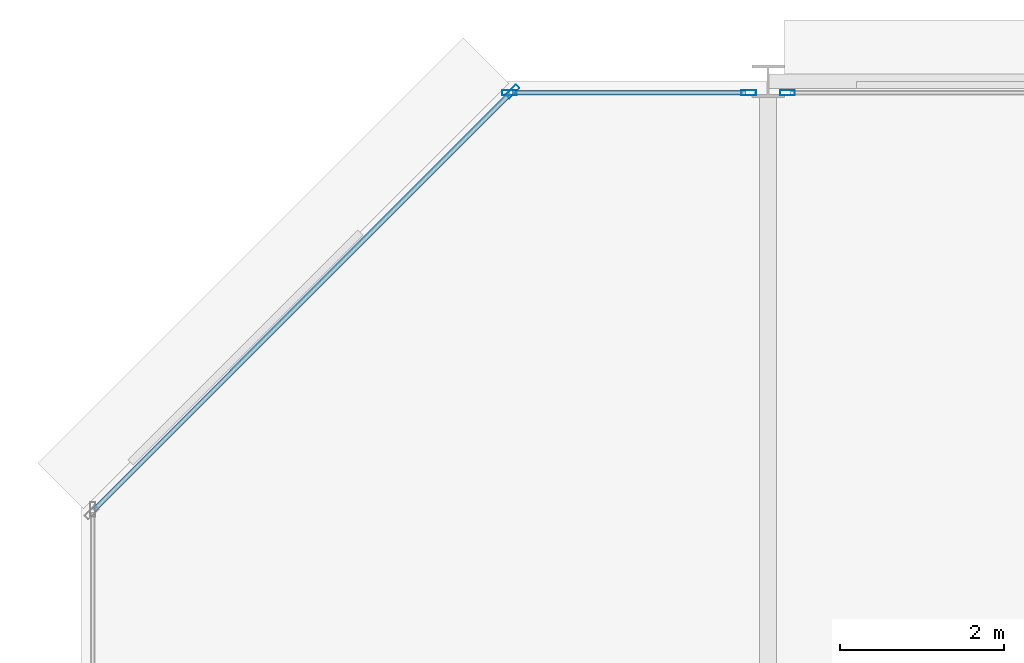
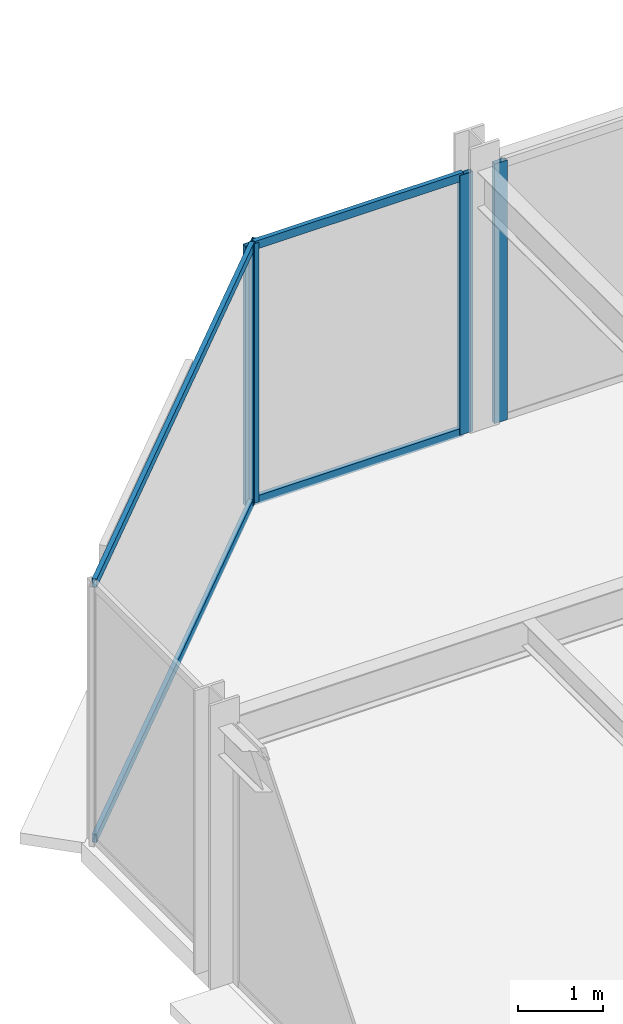
# One storey, part 29 of 40: 8 members, 3 elements without a shape of their own.
"""IFC4 building model written with IfcOpenShell, lengths in metres."""

from ifc_helpers import new_model, si_unit, direction, frame, origin, origin_2d, place, context, subcontext, project, spatial, hollow_rectangle, extrude, material, layer, layer_set, material_profile, profile_set, type_object, element, aggregate, save


model = new_model("IFC4")

# Units and contexts
model_context = context("Model", 3, precision=1e-05, world=origin(), true_north=direction((0.0, 1.0)))
body_context = subcontext(model_context, "Body", "Model", "MODEL_VIEW")
ifc_project = project(units=[si_unit("LENGTHUNIT", "METRE"), si_unit("AREAUNIT", "SQUARE_METRE"), si_unit("VOLUMEUNIT", "CUBIC_METRE"), si_unit("PLANEANGLEUNIT", "RADIAN"), si_unit("MASSUNIT", "GRAM", prefix="KILO")], contexts=[model_context])

# Site, building, storey
site_placement = place(None, origin())
site = spatial("IfcSite", under=ifc_project, at=site_placement, CompositionType="ELEMENT")
building_placement = place(site_placement, origin())
building = spatial("IfcBuilding", under=site, at=building_placement, Name="Nerrivon Quay Data Exchange", CompositionType="ELEMENT")
storey_placement = place(building_placement, frame((0.0, 0.0, 109.0)))
storey = spatial("IfcBuildingStorey", under=building, at=storey_placement, Name="L25", CompositionType="ELEMENT", Elevation=109.0)

# Curtain wall, member
ifc_material = material(Name="Anodised aluminium 6063-T6", Category="aluminium")
ifc_layer = layer(ifc_material, 0.2099609375)
ifc_layer_set = layer_set([ifc_layer], Name="Anodised aluminium 6063-T6")
curtain_wall_type = type_object("IfcCurtainWallType", Name="CW-SYS-02", PredefinedType="NOTDEFINED", material=ifc_layer_set)
curtain_wall_1_placement = place(storey_placement, origin())
curtain_wall_1 = element("IfcCurtainWall", 1, at=curtain_wall_1_placement, inside=storey, type_object=curtain_wall_type, Name="L25 Unitised Curtain Wall 23", PredefinedType="NOTDEFINED")
ifc_material_profile_1 = material_profile(ifc_material, hollow_rectangle(XDim=0.06494140625, YDim=0.179931640625, WallThickness=0.00341796875, at=origin_2d()), Name="ALU-MULL-180x65")
ifc_profile_set_1 = profile_set([ifc_material_profile_1], Name="Anodised aluminium 6063-T6")
member_type_1 = type_object("IfcMemberType", Name="CWM-180x65", PredefinedType="MULLION", material=ifc_profile_set_1)
member_1_placement = place(storey_placement, frame((5.2724609375, 50.2744140625, 0.0), z_axis=(0.0, 0.0, 1.0), x_axis=(-0.707106781187, 0.707106781187, 0.0)))
member_1 = element("IfcMember", 2, at=member_1_placement, type_object=member_type_1, Name="CW02 mullion 2", PredefinedType="MULLION", context=body_context, shape_type="SweptSolid", body=[
    extrude(hollow_rectangle(XDim=0.06494140625, YDim=0.179931640625, WallThickness=0.00341796875, at=origin_2d()), origin(), (0.0, 0.0, 1.0), 3.75),
])

# Curtain wall, members
curtain_wall_2_placement = place(storey_placement, origin())
curtain_wall_2 = element("IfcCurtainWall", 3, at=curtain_wall_2_placement, inside=storey, type_object=curtain_wall_type, Name="L25 Unitised Curtain Wall 24", PredefinedType="NOTDEFINED")
member_2_placement = place(storey_placement, frame((5.237548828125, 50.260009765625, 0.0), z_axis=(0.0, 0.0, 1.0), x_axis=(0.0, 1.0, 0.0)))
member_2 = element("IfcMember", 4, at=member_2_placement, type_object=member_type_1, Name="CW02 mullion 1", PredefinedType="MULLION", context=body_context, shape_type="SweptSolid", body=[
    extrude(hollow_rectangle(XDim=0.06494140625, YDim=0.179931640625, WallThickness=0.00341796875, at=origin_2d()), origin(), (0.0, 0.0, 1.0), 3.75),
])
member_3_placement = place(storey_placement, frame((8.16259765625, 50.260009765625, 0.0), z_axis=(0.0, 0.0, 1.0), x_axis=(0.0, 1.0, 0.0)))
member_3 = element("IfcMember", 5, at=member_3_placement, type_object=member_type_1, Name="CW02 mullion 2", PredefinedType="MULLION", context=body_context, shape_type="SweptSolid", body=[
    extrude(hollow_rectangle(XDim=0.06494140625, YDim=0.179931640625, WallThickness=0.00341796875, at=origin_2d()), origin(), (0.0, 0.0, 1.0), 3.75),
])

# Curtain wall, member
curtain_wall_3_placement = place(storey_placement, origin())
curtain_wall_3 = element("IfcCurtainWall", 6, at=curtain_wall_3_placement, inside=storey, type_object=curtain_wall_type, Name="L25 Unitised Curtain Wall 25", PredefinedType="NOTDEFINED")
member_4_placement = place(storey_placement, frame((8.637451171875, 50.260009765625, 0.0), z_axis=(0.0, 0.0, 1.0), x_axis=(0.0, 1.0, 0.0)))
member_4 = element("IfcMember", 7, at=member_4_placement, type_object=member_type_1, Name="CW02 mullion 1", PredefinedType="MULLION", context=body_context, shape_type="SweptSolid", body=[
    extrude(hollow_rectangle(XDim=0.06494140625, YDim=0.179931640625, WallThickness=0.00341796875, at=origin_2d()), origin(), (0.0, 0.0, 1.0), 3.75),
])
aggregate(curtain_wall_3, [member_4])

# Member
ifc_material_profile_2 = material_profile(ifc_material, hollow_rectangle(XDim=0.06005859375, YDim=0.1201171875, WallThickness=0.003173828125, at=origin_2d()), Name="ALU-TRAN-120x60")
ifc_profile_set_2 = profile_set([ifc_material_profile_2], Name="Anodised aluminium 6063-T6")
member_type_2 = type_object("IfcMemberType", Name="CWT-120x60", PredefinedType="USERDEFINED", material=ifc_profile_set_2)
member_5_placement = place(storey_placement, frame((0.152099609375, 45.154052734375, 0.032470703125), z_axis=(0.707089835771, 0.707123726196, 0.0), x_axis=(-0.707123726196, 0.707089835771, 0.0)))
member_5 = element("IfcMember", 8, at=member_5_placement, type_object=member_type_2, Name="CW02 transom 1.1", ObjectType="TRANSOM", PredefinedType="USERDEFINED", context=body_context, shape_type="SweptSolid", body=[
    extrude(hollow_rectangle(XDim=0.06005859375, YDim=0.1201171875, WallThickness=0.003173828125, at=origin_2d()), origin(), (0.0, 0.0, 1.0), 7.203857421875),
])

member_6_placement = place(storey_placement, frame((0.152099609375, 45.154052734375, 3.717529296875), z_axis=(0.707089835771, 0.707123726196, 0.0), x_axis=(-0.707123726196, 0.707089835771, 0.0)))
member_6 = element("IfcMember", 9, at=member_6_placement, type_object=member_type_2, Name="CW02 transom 1.2", ObjectType="TRANSOM", PredefinedType="USERDEFINED", context=body_context, shape_type="SweptSolid", body=[
    extrude(hollow_rectangle(XDim=0.06005859375, YDim=0.1201171875, WallThickness=0.003173828125, at=origin_2d()), origin(), (0.0, 0.0, 1.0), 7.203857421875),
])

aggregate(curtain_wall_1, [member_1, member_5, member_6])

member_7_placement = place(storey_placement, frame((5.27490234375, 50.260009765625, 0.032470703125), z_axis=(1.0, 0.0, 0.0), x_axis=(0.0, 1.0, 0.0)))
member_7 = element("IfcMember", 10, at=member_7_placement, type_object=member_type_2, Name="CW02 transom 1.1", ObjectType="TRANSOM", PredefinedType="USERDEFINED", context=body_context, shape_type="SweptSolid", body=[
    extrude(hollow_rectangle(XDim=0.06005859375, YDim=0.1201171875, WallThickness=0.003173828125, at=origin_2d()), origin(), (0.0, 0.0, 1.0), 2.85009765625),
])

member_8_placement = place(storey_placement, frame((5.27490234375, 50.260009765625, 3.717529296875), z_axis=(1.0, 0.0, 0.0), x_axis=(0.0, 1.0, 0.0)))
member_8 = element("IfcMember", 11, at=member_8_placement, type_object=member_type_2, Name="CW02 transom 1.2", ObjectType="TRANSOM", PredefinedType="USERDEFINED", context=body_context, shape_type="SweptSolid", body=[
    extrude(hollow_rectangle(XDim=0.06005859375, YDim=0.1201171875, WallThickness=0.003173828125, at=origin_2d()), origin(), (0.0, 0.0, 1.0), 2.85009765625),
])

aggregate(curtain_wall_2, [member_2, member_3, member_7, member_8])

save(model, "model.ifc")
